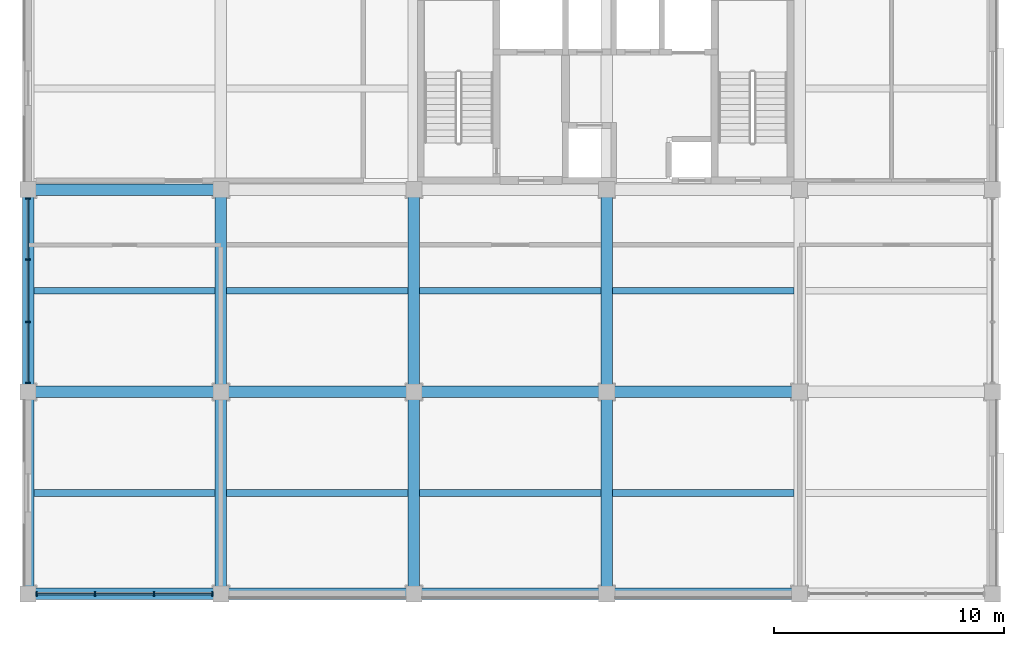
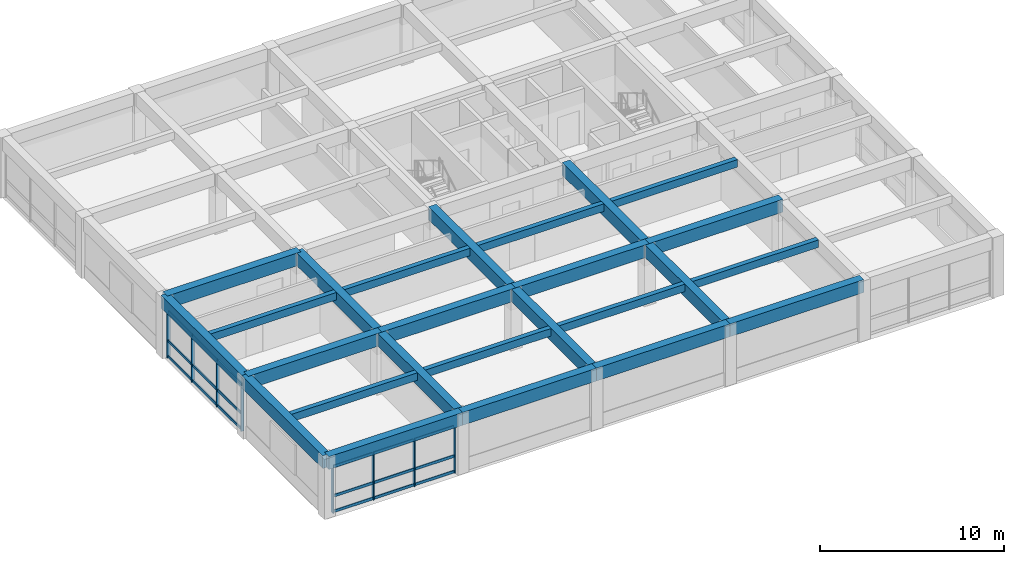
# One storey, part 2 of 14: 26 members, 25 beams, 2 elements without a shape of their own.
"""IFC4 building model written with IfcOpenShell, lengths in metres."""

from ifc_helpers import new_model, si_unit, direction, frame, origin, origin_2d, place, context, subcontext, project, spatial, rectangle, extrude, material, material_profile, profile_set, type_object, element, aggregate, save


model = new_model("IFC4")

# Units and contexts
model_context = context("Model", 3, precision=1e-05, world=origin(), true_north=direction((0.0, 1.0)))
body_context = subcontext(model_context, "Body", "Model", "MODEL_VIEW")
ifc_project = project(units=[si_unit("LENGTHUNIT", "METRE"), si_unit("AREAUNIT", "SQUARE_METRE"), si_unit("VOLUMEUNIT", "CUBIC_METRE"), si_unit("PLANEANGLEUNIT", "RADIAN"), si_unit("MASSUNIT", "GRAM", prefix="KILO")], contexts=[model_context])

# Site, building, storey
site_placement = place(None, origin())
site = spatial("IfcSite", under=ifc_project, at=site_placement, CompositionType="ELEMENT")
building_placement = place(site_placement, origin())
building = spatial("IfcBuilding", under=site, at=building_placement, Name="Kemercrest Conservatory and Botanical Centre", CompositionType="ELEMENT")
storey_placement = place(building_placement, frame((0.0, 0.0, 28.800048828125)))
storey = spatial("IfcBuildingStorey", under=building, at=storey_placement, Name="L07", CompositionType="ELEMENT", Elevation=28.800048828125)

# Beams
ifc_material_1 = material(Name="Concrete C50/60", Category="concrete")
ifc_material_profile_1 = material_profile(ifc_material_1, rectangle(XDim=0.5, YDim=0.85009765625, at=origin_2d()), Name="RC 500x850")
ifc_profile_set_1 = profile_set([ifc_material_profile_1], Name="Concrete C50/60")
beam_type_1 = type_object("IfcBeamType", Name="BM-RC85", PredefinedType="BEAM", material=ifc_profile_set_1)
beam_1_placement = place(storey_placement, frame((134.0, 96.0, 3.574951171875), z_axis=(1.0, 0.0, 0.0), x_axis=(0.0, 1.0, 0.0)))
element("IfcBeam", 1, at=beam_1_placement, inside=storey, type_object=beam_type_1, Name="V4-L08 beam BM-RC85 L/16-17", PredefinedType="BEAM", context=body_context, shape_type="SweptSolid", body=[
    extrude(rectangle(XDim=0.5, YDim=0.85009765625, at=origin_2d()), origin(), (0.0, 0.0, 1.0), 8.39990234375),
])
beam_2_placement = place(storey_placement, frame((142.39990234375, 96.0, 3.574951171875), z_axis=(1.0, 0.0, 0.0), x_axis=(0.0, 1.0, 0.0)))
element("IfcBeam", 2, at=beam_2_placement, inside=storey, type_object=beam_type_1, Name="V4-L08 beam BM-RC85 L/17-18", PredefinedType="BEAM", context=body_context, shape_type="SweptSolid", body=[
    extrude(rectangle(XDim=0.5, YDim=0.85009765625, at=origin_2d()), origin(), (0.0, 0.0, 1.0), 8.400146484375),
])
beam_3_placement = place(storey_placement, frame((150.800048828125, 96.0, 3.574951171875), z_axis=(1.0, 0.0, 0.0), x_axis=(0.0, 1.0, 0.0)))
element("IfcBeam", 3, at=beam_3_placement, inside=storey, type_object=beam_type_1, Name="V4-L08 beam BM-RC85 L/18-19", PredefinedType="BEAM", context=body_context, shape_type="SweptSolid", body=[
    extrude(rectangle(XDim=0.5, YDim=0.85009765625, at=origin_2d()), origin(), (0.0, 0.0, 1.0), 8.39990234375),
])
beam_4_placement = place(storey_placement, frame((159.199951171875, 96.0, 3.574951171875), z_axis=(1.0, 0.0, 0.0), x_axis=(0.0, 1.0, 0.0)))
element("IfcBeam", 4, at=beam_4_placement, inside=storey, type_object=beam_type_1, Name="V4-L08 beam BM-RC85 L/19-20", PredefinedType="BEAM", context=body_context, shape_type="SweptSolid", body=[
    extrude(rectangle(XDim=0.5, YDim=0.85009765625, at=origin_2d()), origin(), (0.0, 0.0, 1.0), 8.400146484375),
])
beam_5_placement = place(storey_placement, frame((134.0, 104.800048828125, 3.574951171875), z_axis=(1.0, 0.0, 0.0), x_axis=(0.0, 1.0, 0.0)))
element("IfcBeam", 5, at=beam_5_placement, inside=storey, type_object=beam_type_1, Name="V4-L08 beam BM-RC85 M/16-17", PredefinedType="BEAM", context=body_context, shape_type="SweptSolid", body=[
    extrude(rectangle(XDim=0.5, YDim=0.85009765625, at=origin_2d()), origin(), (0.0, 0.0, 1.0), 8.39990234375),
])
for number, where, z_axis, x_axis, name in (
    (6, (142.39990234375, 87.199951171875, 3.574951171875), (0.0, 1.0, 0.0), (-1.0, 0.0, 0.0), "V4-L08 beam BM-RC85 17/K-L"),
    (7, (142.39990234375, 96.0, 3.574951171875), (0.0, 1.0, 0.0), (-1.0, 0.0, 0.0), "V4-L08 beam BM-RC85 17/L-M"),
    (8, (150.800048828125, 87.199951171875, 3.574951171875), (0.0, 1.0, 0.0), (-1.0, 0.0, 0.0), "V4-L08 beam BM-RC85 18/K-L"),
    (9, (150.800048828125, 96.0, 3.574951171875), (0.0, 1.0, 0.0), (-1.0, 0.0, 0.0), "V4-L08 beam BM-RC85 18/L-M"),
    (10, (159.199951171875, 87.199951171875, 3.574951171875), (0.0, 1.0, 0.0), (-1.0, 0.0, 0.0), "V4-L08 beam BM-RC85 19/K-L"),
    (11, (159.199951171875, 96.0, 3.574951171875), (0.0, 1.0, 0.0), (-1.0, 0.0, 0.0), "V4-L08 beam BM-RC85 19/L-M"),
):
    element("IfcBeam", number, at=place(storey_placement, frame(where, z_axis=z_axis, x_axis=x_axis)), inside=storey, type_object=beam_type_1, Name=name, PredefinedType="BEAM", context=body_context, shape_type="SweptSolid", body=[
        extrude(rectangle(XDim=0.5, YDim=0.85009765625, at=origin_2d()), origin(), (0.0, 0.0, 1.0), 8.800048828125),
    ])

# Curtain wall, members
ifc_material_2 = material(Name="Thermally broken aluminium and triple low-e glazing", Category="aluminium")
curtain_wall_type_1 = type_object("IfcCurtainWallType", Name="CW-29", PredefinedType="USERDEFINED", material=ifc_material_2)
curtain_wall_1_placement = place(storey_placement, origin())
curtain_wall_1 = element("IfcCurtainWall", 12, at=curtain_wall_1_placement, inside=storey, type_object=curtain_wall_type_1, Name="Unitised curtain wall CW-29 (CW:L07:V4-088)", ObjectType="UNITISED CURTAIN WALL", PredefinedType="USERDEFINED")
ifc_material_3 = material(Name="Thermally broken anodized aluminium 6063-T6", Category="aluminium")
ifc_material_profile_2 = material_profile(ifc_material_3, rectangle(XDim=0.199951171875, YDim=0.06494140625, at=origin_2d()), Name="AL MULLION 65x200")
ifc_profile_set_2 = profile_set([ifc_material_profile_2], Name="Thermally broken anodized aluminium 6063-T6")
member_type_1 = type_object("IfcMemberType", Name="CW-M200", PredefinedType="MULLION", material=ifc_profile_set_2)
member_1_placement = place(storey_placement, frame((134.37744140625, 87.199951171875, 0.0), z_axis=(0.0, 0.0, 1.0), x_axis=(0.0, 1.0, 0.0)))
member_1 = element("IfcMember", 13, at=member_1_placement, type_object=member_type_1, Name="CW-29 mullion 1", PredefinedType="MULLION", context=body_context, shape_type="SweptSolid", body=[
    extrude(rectangle(XDim=0.199951171875, YDim=0.06494140625, at=origin_2d()), origin(), (0.0, 0.0, 1.0), 3.155029296875),
])
member_2_placement = place(storey_placement, frame((136.9150390625, 87.199951171875, 0.0), z_axis=(0.0, 0.0, 1.0), x_axis=(0.0, 1.0, 0.0)))
member_2 = element("IfcMember", 14, at=member_2_placement, type_object=member_type_1, Name="CW-29 mullion 2", PredefinedType="MULLION", context=body_context, shape_type="SweptSolid", body=[
    extrude(rectangle(XDim=0.199951171875, YDim=0.06494140625, at=origin_2d()), origin(), (0.0, 0.0, 1.0), 3.155029296875),
])
member_3_placement = place(storey_placement, frame((139.485107421875, 87.199951171875, 0.0), z_axis=(0.0, 0.0, 1.0), x_axis=(0.0, 1.0, 0.0)))
member_3 = element("IfcMember", 15, at=member_3_placement, type_object=member_type_1, Name="CW-29 mullion 3", PredefinedType="MULLION", context=body_context, shape_type="SweptSolid", body=[
    extrude(rectangle(XDim=0.199951171875, YDim=0.06494140625, at=origin_2d()), origin(), (0.0, 0.0, 1.0), 3.155029296875),
])
member_4_placement = place(storey_placement, frame((142.0224609375, 87.199951171875, 0.0), z_axis=(0.0, 0.0, 1.0), x_axis=(0.0, 1.0, 0.0)))
member_4 = element("IfcMember", 16, at=member_4_placement, type_object=member_type_1, Name="CW-29 mullion 4", PredefinedType="MULLION", context=body_context, shape_type="SweptSolid", body=[
    extrude(rectangle(XDim=0.199951171875, YDim=0.06494140625, at=origin_2d()), origin(), (0.0, 0.0, 1.0), 3.155029296875),
])

curtain_wall_type_2 = type_object("IfcCurtainWallType", Name="CW-04", PredefinedType="USERDEFINED", material=ifc_material_2)
curtain_wall_2_placement = place(storey_placement, origin())
curtain_wall_2 = element("IfcCurtainWall", 17, at=curtain_wall_2_placement, inside=storey, type_object=curtain_wall_type_2, Name="Unitised curtain wall CW-04 (CW:L07:V4-093)", ObjectType="UNITISED CURTAIN WALL", PredefinedType="USERDEFINED")
member_5_placement = place(storey_placement, frame((134.0, 104.422607421875, 0.0), z_axis=(0.0, 0.0, 1.0), x_axis=(1.0, 0.0, 0.0)))
member_5 = element("IfcMember", 18, at=member_5_placement, type_object=member_type_1, Name="CW-04 mullion 1", PredefinedType="MULLION", context=body_context, shape_type="SweptSolid", body=[
    extrude(rectangle(XDim=0.199951171875, YDim=0.06494140625, at=origin_2d()), origin(), (0.0, 0.0, 1.0), 3.155029296875),
])
member_6_placement = place(storey_placement, frame((134.0, 101.751708984375, 0.0), z_axis=(0.0, 0.0, 1.0), x_axis=(1.0, 0.0, 0.0)))
member_6 = element("IfcMember", 19, at=member_6_placement, type_object=member_type_1, Name="CW-04 mullion 2", PredefinedType="MULLION", context=body_context, shape_type="SweptSolid", body=[
    extrude(rectangle(XDim=0.199951171875, YDim=0.06494140625, at=origin_2d()), origin(), (0.0, 0.0, 1.0), 3.155029296875),
])
member_7_placement = place(storey_placement, frame((134.0, 99.04833984375, 0.0), z_axis=(0.0, 0.0, 1.0), x_axis=(1.0, 0.0, 0.0)))
member_7 = element("IfcMember", 20, at=member_7_placement, type_object=member_type_1, Name="CW-04 mullion 3", PredefinedType="MULLION", context=body_context, shape_type="SweptSolid", body=[
    extrude(rectangle(XDim=0.199951171875, YDim=0.06494140625, at=origin_2d()), origin(), (0.0, 0.0, 1.0), 3.155029296875),
])
member_8_placement = place(storey_placement, frame((134.0, 96.37744140625, 0.0), z_axis=(0.0, 0.0, 1.0), x_axis=(1.0, 0.0, 0.0)))
member_8 = element("IfcMember", 21, at=member_8_placement, type_object=member_type_1, Name="CW-04 mullion 4", PredefinedType="MULLION", context=body_context, shape_type="SweptSolid", body=[
    extrude(rectangle(XDim=0.199951171875, YDim=0.06494140625, at=origin_2d()), origin(), (0.0, 0.0, 1.0), 3.155029296875),
])

# Member
ifc_material_profile_3 = material_profile(ifc_material_3, rectangle(XDim=0.074951171875, YDim=0.179931640625, at=origin_2d()), Name="AL TRANSOM 75x180")
ifc_profile_set_3 = profile_set([ifc_material_profile_3], Name="Thermally broken anodized aluminium 6063-T6")
member_type_2 = type_object("IfcMemberType", Name="CW-T180", PredefinedType="USERDEFINED", material=ifc_profile_set_3)
member_9_placement = place(storey_placement, frame((134.409912109375, 87.199951171875, 0.08984375), z_axis=(1.0, 0.0, 0.0), x_axis=(0.0, 1.0, 0.0)))
member_9 = element("IfcMember", 22, at=member_9_placement, type_object=member_type_2, Name="CW-29 transom 1.1", ObjectType="TRANSOM", PredefinedType="USERDEFINED", context=body_context, shape_type="SweptSolid", body=[
    extrude(rectangle(XDim=0.074951171875, YDim=0.179931640625, at=origin_2d()), origin(), (0.0, 0.0, 1.0), 2.47265625),
])

member_10_placement = place(storey_placement, frame((134.409912109375, 87.199951171875, 1.119873046875), z_axis=(1.0, 0.0, 0.0), x_axis=(0.0, 1.0, 0.0)))
member_10 = element("IfcMember", 23, at=member_10_placement, type_object=member_type_2, Name="CW-29 transom 1.2", ObjectType="TRANSOM", PredefinedType="USERDEFINED", context=body_context, shape_type="SweptSolid", body=[
    extrude(rectangle(XDim=0.074951171875, YDim=0.179931640625, at=origin_2d()), origin(), (0.0, 0.0, 1.0), 2.47265625),
])

member_11_placement = place(storey_placement, frame((134.409912109375, 87.199951171875, 3.06494140625), z_axis=(1.0, 0.0, 0.0), x_axis=(0.0, 1.0, 0.0)))
member_11 = element("IfcMember", 24, at=member_11_placement, type_object=member_type_2, Name="CW-29 transom 1.3", ObjectType="TRANSOM", PredefinedType="USERDEFINED", context=body_context, shape_type="SweptSolid", body=[
    extrude(rectangle(XDim=0.074951171875, YDim=0.179931640625, at=origin_2d()), origin(), (0.0, 0.0, 1.0), 2.47265625),
])

member_12_placement = place(storey_placement, frame((136.947509765625, 87.199951171875, 0.08984375), z_axis=(1.0, 0.0, 0.0), x_axis=(0.0, 1.0, 0.0)))
member_12 = element("IfcMember", 25, at=member_12_placement, type_object=member_type_2, Name="CW-29 transom 2.1", ObjectType="TRANSOM", PredefinedType="USERDEFINED", context=body_context, shape_type="SweptSolid", body=[
    extrude(rectangle(XDim=0.074951171875, YDim=0.179931640625, at=origin_2d()), origin(), (0.0, 0.0, 1.0), 2.5048828125),
])

member_13_placement = place(storey_placement, frame((136.947509765625, 87.199951171875, 1.119873046875), z_axis=(1.0, 0.0, 0.0), x_axis=(0.0, 1.0, 0.0)))
member_13 = element("IfcMember", 26, at=member_13_placement, type_object=member_type_2, Name="CW-29 transom 2.2", ObjectType="TRANSOM", PredefinedType="USERDEFINED", context=body_context, shape_type="SweptSolid", body=[
    extrude(rectangle(XDim=0.074951171875, YDim=0.179931640625, at=origin_2d()), origin(), (0.0, 0.0, 1.0), 2.5048828125),
])

member_14_placement = place(storey_placement, frame((136.947509765625, 87.199951171875, 3.06494140625), z_axis=(1.0, 0.0, 0.0), x_axis=(0.0, 1.0, 0.0)))
member_14 = element("IfcMember", 27, at=member_14_placement, type_object=member_type_2, Name="CW-29 transom 2.3", ObjectType="TRANSOM", PredefinedType="USERDEFINED", context=body_context, shape_type="SweptSolid", body=[
    extrude(rectangle(XDim=0.074951171875, YDim=0.179931640625, at=origin_2d()), origin(), (0.0, 0.0, 1.0), 2.5048828125),
])

member_15_placement = place(storey_placement, frame((139.517578125, 87.199951171875, 0.08984375), z_axis=(1.0, 0.0, 0.0), x_axis=(0.0, 1.0, 0.0)))
member_15 = element("IfcMember", 28, at=member_15_placement, type_object=member_type_2, Name="CW-29 transom 3.1", ObjectType="TRANSOM", PredefinedType="USERDEFINED", context=body_context, shape_type="SweptSolid", body=[
    extrude(rectangle(XDim=0.074951171875, YDim=0.179931640625, at=origin_2d()), origin(), (0.0, 0.0, 1.0), 2.472412109375),
])

member_16_placement = place(storey_placement, frame((139.517578125, 87.199951171875, 1.119873046875), z_axis=(1.0, 0.0, 0.0), x_axis=(0.0, 1.0, 0.0)))
member_16 = element("IfcMember", 29, at=member_16_placement, type_object=member_type_2, Name="CW-29 transom 3.2", ObjectType="TRANSOM", PredefinedType="USERDEFINED", context=body_context, shape_type="SweptSolid", body=[
    extrude(rectangle(XDim=0.074951171875, YDim=0.179931640625, at=origin_2d()), origin(), (0.0, 0.0, 1.0), 2.472412109375),
])

member_17_placement = place(storey_placement, frame((139.517578125, 87.199951171875, 3.06494140625), z_axis=(1.0, 0.0, 0.0), x_axis=(0.0, 1.0, 0.0)))
member_17 = element("IfcMember", 30, at=member_17_placement, type_object=member_type_2, Name="CW-29 transom 3.3", ObjectType="TRANSOM", PredefinedType="USERDEFINED", context=body_context, shape_type="SweptSolid", body=[
    extrude(rectangle(XDim=0.074951171875, YDim=0.179931640625, at=origin_2d()), origin(), (0.0, 0.0, 1.0), 2.472412109375),
])

aggregate(curtain_wall_1, [member_1, member_2, member_3, member_4, member_9, member_10, member_11, member_12, member_13, member_14, member_15, member_16, member_17])

member_18_placement = place(storey_placement, frame((134.0, 104.389892578125, 0.08984375), z_axis=(0.0, -1.0, 0.0), x_axis=(1.0, 0.0, 0.0)))
member_18 = element("IfcMember", 31, at=member_18_placement, type_object=member_type_2, Name="CW-04 transom 1.1", ObjectType="TRANSOM", PredefinedType="USERDEFINED", context=body_context, shape_type="SweptSolid", body=[
    extrude(rectangle(XDim=0.074951171875, YDim=0.179931640625, at=origin_2d()), origin(), (0.0, 0.0, 1.0), 2.605712890625),
])

member_19_placement = place(storey_placement, frame((134.0, 104.389892578125, 1.119873046875), z_axis=(0.0, -1.0, 0.0), x_axis=(1.0, 0.0, 0.0)))
member_19 = element("IfcMember", 32, at=member_19_placement, type_object=member_type_2, Name="CW-04 transom 1.2", ObjectType="TRANSOM", PredefinedType="USERDEFINED", context=body_context, shape_type="SweptSolid", body=[
    extrude(rectangle(XDim=0.074951171875, YDim=0.179931640625, at=origin_2d()), origin(), (0.0, 0.0, 1.0), 2.605712890625),
])

member_20_placement = place(storey_placement, frame((134.0, 104.389892578125, 3.06494140625), z_axis=(0.0, -1.0, 0.0), x_axis=(1.0, 0.0, 0.0)))
member_20 = element("IfcMember", 33, at=member_20_placement, type_object=member_type_2, Name="CW-04 transom 1.3", ObjectType="TRANSOM", PredefinedType="USERDEFINED", context=body_context, shape_type="SweptSolid", body=[
    extrude(rectangle(XDim=0.074951171875, YDim=0.179931640625, at=origin_2d()), origin(), (0.0, 0.0, 1.0), 2.605712890625),
])

member_21_placement = place(storey_placement, frame((134.0, 101.71923828125, 0.08984375), z_axis=(0.0, -1.0, 0.0), x_axis=(1.0, 0.0, 0.0)))
member_21 = element("IfcMember", 34, at=member_21_placement, type_object=member_type_2, Name="CW-04 transom 2.1", ObjectType="TRANSOM", PredefinedType="USERDEFINED", context=body_context, shape_type="SweptSolid", body=[
    extrude(rectangle(XDim=0.074951171875, YDim=0.179931640625, at=origin_2d()), origin(), (0.0, 0.0, 1.0), 2.638427734375),
])

member_22_placement = place(storey_placement, frame((134.0, 101.71923828125, 1.119873046875), z_axis=(0.0, -1.0, 0.0), x_axis=(1.0, 0.0, 0.0)))
member_22 = element("IfcMember", 35, at=member_22_placement, type_object=member_type_2, Name="CW-04 transom 2.2", ObjectType="TRANSOM", PredefinedType="USERDEFINED", context=body_context, shape_type="SweptSolid", body=[
    extrude(rectangle(XDim=0.074951171875, YDim=0.179931640625, at=origin_2d()), origin(), (0.0, 0.0, 1.0), 2.638427734375),
])

member_23_placement = place(storey_placement, frame((134.0, 101.71923828125, 3.06494140625), z_axis=(0.0, -1.0, 0.0), x_axis=(1.0, 0.0, 0.0)))
member_23 = element("IfcMember", 36, at=member_23_placement, type_object=member_type_2, Name="CW-04 transom 2.3", ObjectType="TRANSOM", PredefinedType="USERDEFINED", context=body_context, shape_type="SweptSolid", body=[
    extrude(rectangle(XDim=0.074951171875, YDim=0.179931640625, at=origin_2d()), origin(), (0.0, 0.0, 1.0), 2.638427734375),
])

member_24_placement = place(storey_placement, frame((134.0, 99.015869140625, 0.08984375), z_axis=(0.0, -1.0, 0.0), x_axis=(1.0, 0.0, 0.0)))
member_24 = element("IfcMember", 37, at=member_24_placement, type_object=member_type_2, Name="CW-04 transom 3.1", ObjectType="TRANSOM", PredefinedType="USERDEFINED", context=body_context, shape_type="SweptSolid", body=[
    extrude(rectangle(XDim=0.074951171875, YDim=0.179931640625, at=origin_2d()), origin(), (0.0, 0.0, 1.0), 2.60595703125),
])

member_25_placement = place(storey_placement, frame((134.0, 99.015869140625, 1.119873046875), z_axis=(0.0, -1.0, 0.0), x_axis=(1.0, 0.0, 0.0)))
member_25 = element("IfcMember", 38, at=member_25_placement, type_object=member_type_2, Name="CW-04 transom 3.2", ObjectType="TRANSOM", PredefinedType="USERDEFINED", context=body_context, shape_type="SweptSolid", body=[
    extrude(rectangle(XDim=0.074951171875, YDim=0.179931640625, at=origin_2d()), origin(), (0.0, 0.0, 1.0), 2.60595703125),
])

member_26_placement = place(storey_placement, frame((134.0, 99.015869140625, 3.06494140625), z_axis=(0.0, -1.0, 0.0), x_axis=(1.0, 0.0, 0.0)))
member_26 = element("IfcMember", 39, at=member_26_placement, type_object=member_type_2, Name="CW-04 transom 3.3", ObjectType="TRANSOM", PredefinedType="USERDEFINED", context=body_context, shape_type="SweptSolid", body=[
    extrude(rectangle(XDim=0.074951171875, YDim=0.179931640625, at=origin_2d()), origin(), (0.0, 0.0, 1.0), 2.60595703125),
])

aggregate(curtain_wall_2, [member_5, member_6, member_7, member_8, member_18, member_19, member_20, member_21, member_22, member_23, member_24, member_25, member_26])

# Beams
ifc_material_4 = material(Name="Concrete C40/50", Category="concrete")
ifc_material_profile_4 = material_profile(ifc_material_4, rectangle(XDim=0.300048828125, YDim=0.5, at=origin_2d()), Name="RC 300x500")
ifc_profile_set_4 = profile_set([ifc_material_profile_4], Name="Concrete C40/50")
beam_type_2 = type_object("IfcBeamType", Name="JS-RC50", PredefinedType="JOIST", material=ifc_profile_set_4)
beam_6_placement = place(storey_placement, frame((134.25, 91.60009765625, 3.75), z_axis=(1.0, 0.0, 0.0), x_axis=(0.0, 1.0, 0.0)))
element("IfcBeam", 40, at=beam_6_placement, inside=storey, type_object=beam_type_2, Name="V4-L08 secondary joist JS-RC50", PredefinedType="JOIST", context=body_context, shape_type="SweptSolid", body=[
    extrude(rectangle(XDim=0.300048828125, YDim=0.5, at=origin_2d()), origin(), (0.0, 0.0, 1.0), 7.89990234375),
])
beam_7_placement = place(storey_placement, frame((142.64990234375, 91.60009765625, 3.75), z_axis=(1.0, 0.0, 0.0), x_axis=(0.0, 1.0, 0.0)))
element("IfcBeam", 41, at=beam_7_placement, inside=storey, type_object=beam_type_2, Name="V4-L08 secondary joist JS-RC50", PredefinedType="JOIST", context=body_context, shape_type="SweptSolid", body=[
    extrude(rectangle(XDim=0.300048828125, YDim=0.5, at=origin_2d()), origin(), (0.0, 0.0, 1.0), 7.900146484375),
])
beam_8_placement = place(storey_placement, frame((151.050048828125, 91.60009765625, 3.75), z_axis=(1.0, 0.0, 0.0), x_axis=(0.0, 1.0, 0.0)))
element("IfcBeam", 42, at=beam_8_placement, inside=storey, type_object=beam_type_2, Name="V4-L08 secondary joist JS-RC50", PredefinedType="JOIST", context=body_context, shape_type="SweptSolid", body=[
    extrude(rectangle(XDim=0.300048828125, YDim=0.5, at=origin_2d()), origin(), (0.0, 0.0, 1.0), 7.89990234375),
])
beam_9_placement = place(storey_placement, frame((159.449951171875, 91.60009765625, 3.75), z_axis=(1.0, 0.0, 0.0), x_axis=(0.0, 1.0, 0.0)))
element("IfcBeam", 43, at=beam_9_placement, inside=storey, type_object=beam_type_2, Name="V4-L08 secondary joist JS-RC50", PredefinedType="JOIST", context=body_context, shape_type="SweptSolid", body=[
    extrude(rectangle(XDim=0.300048828125, YDim=0.5, at=origin_2d()), origin(), (0.0, 0.0, 1.0), 7.900146484375),
])
beam_10_placement = place(storey_placement, frame((134.25, 100.39990234375, 3.75), z_axis=(1.0, 0.0, 0.0), x_axis=(0.0, 1.0, 0.0)))
element("IfcBeam", 44, at=beam_10_placement, inside=storey, type_object=beam_type_2, Name="V4-L08 secondary joist JS-RC50", PredefinedType="JOIST", context=body_context, shape_type="SweptSolid", body=[
    extrude(rectangle(XDim=0.300048828125, YDim=0.5, at=origin_2d()), origin(), (0.0, 0.0, 1.0), 7.89990234375),
])
beam_11_placement = place(storey_placement, frame((142.64990234375, 100.39990234375, 3.75), z_axis=(1.0, 0.0, 0.0), x_axis=(0.0, 1.0, 0.0)))
element("IfcBeam", 45, at=beam_11_placement, inside=storey, type_object=beam_type_2, Name="V4-L08 secondary joist JS-RC50", PredefinedType="JOIST", context=body_context, shape_type="SweptSolid", body=[
    extrude(rectangle(XDim=0.300048828125, YDim=0.5, at=origin_2d()), origin(), (0.0, 0.0, 1.0), 7.900146484375),
])
beam_12_placement = place(storey_placement, frame((151.050048828125, 100.39990234375, 3.75), z_axis=(1.0, 0.0, 0.0), x_axis=(0.0, 1.0, 0.0)))
element("IfcBeam", 46, at=beam_12_placement, inside=storey, type_object=beam_type_2, Name="V4-L08 secondary joist JS-RC50", PredefinedType="JOIST", context=body_context, shape_type="SweptSolid", body=[
    extrude(rectangle(XDim=0.300048828125, YDim=0.5, at=origin_2d()), origin(), (0.0, 0.0, 1.0), 7.89990234375),
])
beam_13_placement = place(storey_placement, frame((159.449951171875, 100.39990234375, 3.75), z_axis=(1.0, 0.0, 0.0), x_axis=(0.0, 1.0, 0.0)))
element("IfcBeam", 47, at=beam_13_placement, inside=storey, type_object=beam_type_2, Name="V4-L08 secondary joist JS-RC50", PredefinedType="JOIST", context=body_context, shape_type="SweptSolid", body=[
    extrude(rectangle(XDim=0.300048828125, YDim=0.5, at=origin_2d()), origin(), (0.0, 0.0, 1.0), 7.900146484375),
])
ifc_material_profile_5 = material_profile(ifc_material_1, rectangle(XDim=0.5, YDim=0.85009765625, at=origin_2d()), Name="RC 500x850")
ifc_profile_set_5 = profile_set([ifc_material_profile_5], Name="Concrete C50/60")
beam_type_3 = type_object("IfcBeamType", Name="SP-RC85", PredefinedType="SPANDREL", material=ifc_profile_set_5)
beam_14_placement = place(storey_placement, frame((134.0, 87.199951171875, 3.574951171875), z_axis=(1.0, 0.0, 0.0), x_axis=(0.0, 1.0, 0.0)))
element("IfcBeam", 48, at=beam_14_placement, inside=storey, type_object=beam_type_3, Name="V4-L08 beam SP-RC85 K/16-17", PredefinedType="SPANDREL", context=body_context, shape_type="SweptSolid", body=[
    extrude(rectangle(XDim=0.5, YDim=0.85009765625, at=origin_2d()), origin(), (0.0, 0.0, 1.0), 8.39990234375),
])
beam_15_placement = place(storey_placement, frame((142.39990234375, 87.199951171875, 3.574951171875), z_axis=(1.0, 0.0, 0.0), x_axis=(0.0, 1.0, 0.0)))
element("IfcBeam", 49, at=beam_15_placement, inside=storey, type_object=beam_type_3, Name="V4-L08 beam SP-RC85 K/17-18", PredefinedType="SPANDREL", context=body_context, shape_type="SweptSolid", body=[
    extrude(rectangle(XDim=0.5, YDim=0.85009765625, at=origin_2d()), origin(), (0.0, 0.0, 1.0), 8.400146484375),
])
beam_16_placement = place(storey_placement, frame((150.800048828125, 87.199951171875, 3.574951171875), z_axis=(1.0, 0.0, 0.0), x_axis=(0.0, 1.0, 0.0)))
element("IfcBeam", 50, at=beam_16_placement, inside=storey, type_object=beam_type_3, Name="V4-L08 beam SP-RC85 K/18-19", PredefinedType="SPANDREL", context=body_context, shape_type="SweptSolid", body=[
    extrude(rectangle(XDim=0.5, YDim=0.85009765625, at=origin_2d()), origin(), (0.0, 0.0, 1.0), 8.39990234375),
])
beam_17_placement = place(storey_placement, frame((159.199951171875, 87.199951171875, 3.574951171875), z_axis=(1.0, 0.0, 0.0), x_axis=(0.0, 1.0, 0.0)))
element("IfcBeam", 51, at=beam_17_placement, inside=storey, type_object=beam_type_3, Name="V4-L08 beam SP-RC85 K/19-20", PredefinedType="SPANDREL", context=body_context, shape_type="SweptSolid", body=[
    extrude(rectangle(XDim=0.5, YDim=0.85009765625, at=origin_2d()), origin(), (0.0, 0.0, 1.0), 8.400146484375),
])
for number, where, z_axis, x_axis, name in (
    (52, (134.0, 87.199951171875, 3.574951171875), (0.0, 1.0, 0.0), (-1.0, 0.0, 0.0), "V4-L08 beam SP-RC85 16/K-L"),
    (53, (134.0, 96.0, 3.574951171875), (0.0, 1.0, 0.0), (-1.0, 0.0, 0.0), "V4-L08 beam SP-RC85 16/L-M"),
):
    element("IfcBeam", number, at=place(storey_placement, frame(where, z_axis=z_axis, x_axis=x_axis)), inside=storey, type_object=beam_type_3, Name=name, PredefinedType="SPANDREL", context=body_context, shape_type="SweptSolid", body=[
        extrude(rectangle(XDim=0.5, YDim=0.85009765625, at=origin_2d()), origin(), (0.0, 0.0, 1.0), 8.800048828125),
    ])

save(model, "model.ifc")
